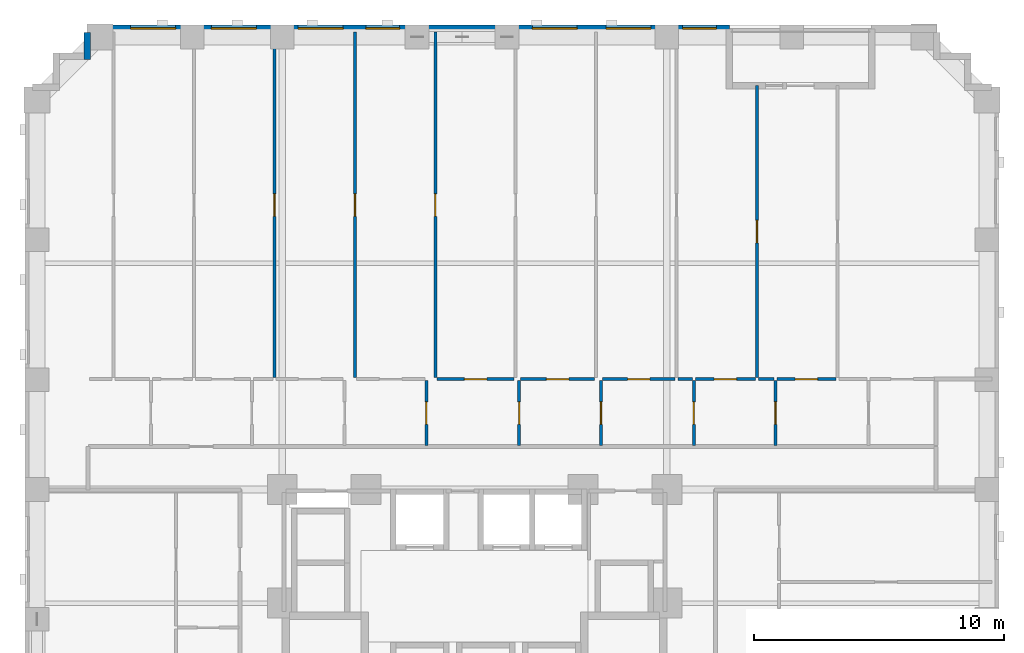
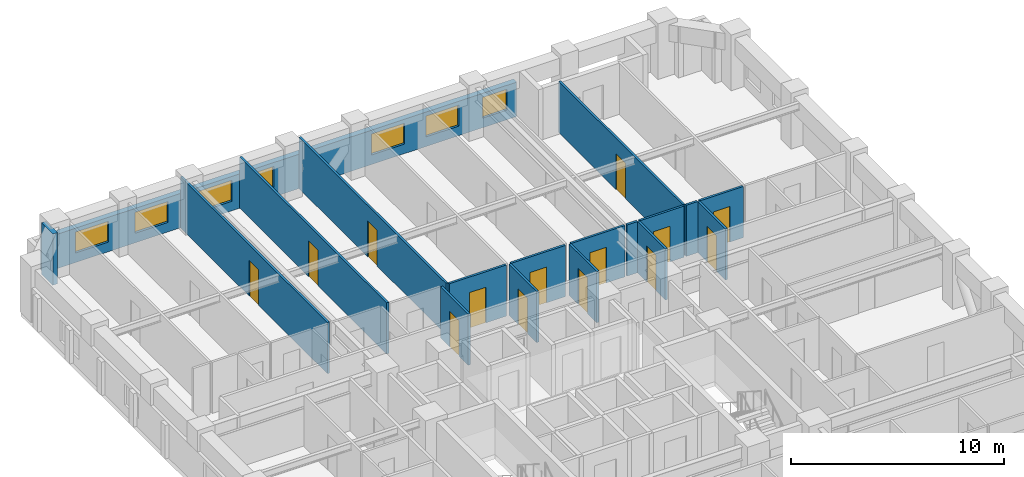
# One storey, part 8 of 14: 18 walls, 14 doors, 7 windows, 21 openings.
"""IFC4 building model written with IfcOpenShell, lengths in metres."""

from ifc_helpers import new_model, si_unit, derived_unit, direction, frame, frame_2d, origin, place, context, subcontext, project, spatial, rectangle, extrude, material, layer, layer_set, type_object, element, fill, save


model = new_model("IFC4")

# Units and contexts
model_context = context("Model", 3, precision=1e-05, world=origin(), true_north=direction((0.0, 1.0)))
body_context = subcontext(model_context, "Body", "Model", "MODEL_VIEW")
ifc_project = project(units=[si_unit("LENGTHUNIT", "METRE"), si_unit("AREAUNIT", "SQUARE_METRE"), si_unit("VOLUMEUNIT", "CUBIC_METRE"), si_unit("PLANEANGLEUNIT", "RADIAN"), si_unit("MASSUNIT", "GRAM", prefix="KILO"), derived_unit("THERMALTRANSMITTANCEUNIT", [(si_unit("MASSUNIT", "GRAM", prefix="KILO"), 1), (si_unit("TIMEUNIT", "SECOND"), -3), (si_unit("THERMODYNAMICTEMPERATUREUNIT", "KELVIN"), -1)])], contexts=[model_context])

# Site, building, storey
site_placement = place(None, origin())
site = spatial("IfcSite", under=ifc_project, at=site_placement, CompositionType="ELEMENT")
building_placement = place(site_placement, origin())
building = spatial("IfcBuilding", under=site, at=building_placement, Name="Korrvale Station Residences", CompositionType="ELEMENT")
storey_placement = place(building_placement, frame((0.0, 0.0, 45.0)))
storey = spatial("IfcBuildingStorey", under=building, at=storey_placement, Name="L11", CompositionType="ELEMENT", Elevation=45.0)

# Wall
ifc_material_1 = material(Name="Precast concrete C45/55", Category="concrete")
ifc_layer_1 = layer(ifc_material_1, 0.260009765625, Name="Precast concrete C45/55")
ifc_layer_set_1 = layer_set([ifc_layer_1], Name="Precast concrete C45/55")
wall_type_1 = type_object("IfcWallType", Name="WAL-EXT-LOG260", PredefinedType="SOLIDWALL", material=ifc_layer_set_1)
wall_1_placement = place(storey_placement, frame((10.0, 46.219970703125, 0.0), z_axis=(0.0, 0.0, 1.0), x_axis=(0.0, 1.0, 0.0)))
element("IfcWall", 1, at=wall_1_placement, inside=storey, type_object=wall_type_1, Name="L11 Serrated Corner Precast Step NW-4", PredefinedType="SOLIDWALL", context=body_context, shape_type="SweptSolid", body=[
    extrude(rectangle(XDim=1.078125, YDim=0.260009765625, at=frame_2d((0.5390625, 0.0))), origin(), (0.0, 0.0, 1.0), 2.93994140625),
])

# Wall, openings, windows
ifc_layer_2 = layer(ifc_material_1, 0.300048828125, Name="Precast concrete C45/55")
ifc_layer_set_2 = layer_set([ifc_layer_2], Name="Precast concrete C45/55")
wall_type_2 = type_object("IfcWallType", Name="WAL-EXT-PC300", PredefinedType="SOLIDWALL", material=ifc_layer_set_2)
wall_2_placement = place(storey_placement, frame((10.0, 47.449951171875, 0.0), z_axis=(0.0, 0.0, 1.0), x_axis=(1.0, 0.0, 0.0)))
wall_2 = element("IfcWall", 2, at=wall_2_placement, inside=storey, type_object=wall_type_2, Name="L11 North Exterior Precast Wall 1", PredefinedType="SOLIDWALL", context=body_context, shape_type="SweptSolid", body=[
    extrude(rectangle(XDim=25.699951171875, YDim=0.300048828125, at=frame_2d((12.85009765625, 0.0))), origin(), (0.0, 0.0, 1.0), 1.97509765625),
])
opening_1_placement = place(wall_2_placement, frame((1.72998046875, 0.0, 0.550048828125)))
opening_1 = element("IfcOpeningElement", 3, at=opening_1_placement, cuts=wall_2, Name="Opening W-09", PredefinedType="OPENING", context=body_context, shape_type="SweptSolid", body=[
    extrude(rectangle(XDim=1.800048828125, YDim=1.199951171875, at=frame_2d((0.89990234375, 0.60009765625))), frame((0.0, 0.16015625, 0.0), z_axis=(0.0, -1.0, 0.0), x_axis=(1.0, 0.0, 0.0)), (0.0, 0.0, 1.0), 0.320068359375),
])
opening_2_placement = place(wall_2_placement, frame((4.9609375, 0.0, 0.550048828125)))
opening_2 = element("IfcOpeningElement", 4, at=opening_2_placement, cuts=wall_2, Name="Opening W-09", PredefinedType="OPENING", context=body_context, shape_type="SweptSolid", body=[
    extrude(rectangle(XDim=1.800048828125, YDim=1.199951171875, at=frame_2d((0.89990234375, 0.60009765625))), frame((0.0, 0.16015625, 0.0), z_axis=(0.0, -1.0, 0.0), x_axis=(1.0, 0.0, 0.0)), (0.0, 0.0, 1.0), 0.320068359375),
])
opening_3_placement = place(wall_2_placement, frame((8.43505859375, 0.0, 0.550048828125)))
opening_3 = element("IfcOpeningElement", 5, at=opening_3_placement, cuts=wall_2, Name="Opening W-09", PredefinedType="OPENING", context=body_context, shape_type="SweptSolid", body=[
    extrude(rectangle(XDim=1.800048828125, YDim=1.199951171875, at=frame_2d((0.89990234375, 0.60009765625))), frame((0.0, 0.16015625, 0.0), z_axis=(0.0, -1.0, 0.0), x_axis=(1.0, 0.0, 0.0)), (0.0, 0.0, 1.0), 0.320068359375),
])
opening_4_placement = place(wall_2_placement, frame((11.14990234375, 0.0, 0.550048828125)))
opening_4 = element("IfcOpeningElement", 6, at=opening_4_placement, cuts=wall_2, Name="Opening W-10", PredefinedType="OPENING", context=body_context, shape_type="SweptSolid", body=[
    extrude(rectangle(XDim=1.35009765625, YDim=1.199951171875, at=frame_2d((0.675048828125, 0.60009765625))), frame((0.0, 0.16015625, 0.0), z_axis=(0.0, -1.0, 0.0), x_axis=(1.0, 0.0, 0.0)), (0.0, 0.0, 1.0), 0.320068359375),
])
opening_5_placement = place(wall_2_placement, frame((17.81201171875, 0.0, 0.550048828125)))
opening_5 = element("IfcOpeningElement", 7, at=opening_5_placement, cuts=wall_2, Name="Opening W-09", PredefinedType="OPENING", context=body_context, shape_type="SweptSolid", body=[
    extrude(rectangle(XDim=1.800048828125, YDim=1.199951171875, at=frame_2d((0.89990234375, 0.60009765625))), frame((0.0, 0.16015625, 0.0), z_axis=(0.0, -1.0, 0.0), x_axis=(1.0, 0.0, 0.0)), (0.0, 0.0, 1.0), 0.320068359375),
])
opening_6_placement = place(wall_2_placement, frame((20.764892578125, 0.0, 0.550048828125)))
opening_6 = element("IfcOpeningElement", 8, at=opening_6_placement, cuts=wall_2, Name="Opening W-09", PredefinedType="OPENING", context=body_context, shape_type="SweptSolid", body=[
    extrude(rectangle(XDim=1.800048828125, YDim=1.199951171875, at=frame_2d((0.89990234375, 0.60009765625))), frame((0.0, 0.16015625, 0.0), z_axis=(0.0, -1.0, 0.0), x_axis=(1.0, 0.0, 0.0)), (0.0, 0.0, 1.0), 0.320068359375),
])
opening_7_placement = place(wall_2_placement, frame((23.8349609375, 0.0, 0.550048828125)))
opening_7 = element("IfcOpeningElement", 9, at=opening_7_placement, cuts=wall_2, Name="Opening W-10", PredefinedType="OPENING", context=body_context, shape_type="SweptSolid", body=[
    extrude(rectangle(XDim=1.35009765625, YDim=1.199951171875, at=frame_2d((0.675048828125, 0.60009765625))), frame((0.0, 0.16015625, 0.0), z_axis=(0.0, -1.0, 0.0), x_axis=(1.0, 0.0, 0.0)), (0.0, 0.0, 1.0), 0.320068359375),
])
ifc_material_2 = material(Name="Thermally broken aluminium frame with triple low-e glazing", Category="aluminium")
window_type_1 = type_object("IfcWindowType", Name="WIN-W09", PartitioningType="DOUBLE_PANEL_VERTICAL", PredefinedType="WINDOW", material=ifc_material_2)
window_1_placement = place(opening_1_placement, origin())
window_1 = element("IfcWindow", 10, at=window_1_placement, inside=storey, type_object=window_type_1, Name="L11 Punched Window 15", OverallHeight=1.199951171875, OverallWidth=1.800048828125, PartitioningType="DOUBLE_PANEL_VERTICAL", PredefinedType="WINDOW", context=body_context, shape_type="SweptSolid", body=[
    extrude(rectangle(XDim=1.800048828125, YDim=1.199951171875, at=frame_2d((0.89990234375, 0.60009765625))), frame((0.0, 0.030029296875, 0.0), z_axis=(0.0, -1.0, 0.0), x_axis=(1.0, 0.0, 0.0)), (0.0, 0.0, 1.0), 0.06005859375),
])
fill(opening_1, window_1)
window_2_placement = place(opening_2_placement, origin())
window_2 = element("IfcWindow", 11, at=window_2_placement, inside=storey, type_object=window_type_1, Name="L11 Punched Window 16", OverallHeight=1.199951171875, OverallWidth=1.800048828125, PartitioningType="DOUBLE_PANEL_VERTICAL", PredefinedType="WINDOW", context=body_context, shape_type="SweptSolid", body=[
    extrude(rectangle(XDim=1.800048828125, YDim=1.199951171875, at=frame_2d((0.89990234375, 0.60009765625))), frame((0.0, 0.030029296875, 0.0), z_axis=(0.0, -1.0, 0.0), x_axis=(1.0, 0.0, 0.0)), (0.0, 0.0, 1.0), 0.06005859375),
])
fill(opening_2, window_2)
window_3_placement = place(opening_3_placement, origin())
window_3 = element("IfcWindow", 12, at=window_3_placement, inside=storey, type_object=window_type_1, Name="L11 Punched Window 17", OverallHeight=1.199951171875, OverallWidth=1.800048828125, PartitioningType="DOUBLE_PANEL_VERTICAL", PredefinedType="WINDOW", context=body_context, shape_type="SweptSolid", body=[
    extrude(rectangle(XDim=1.800048828125, YDim=1.199951171875, at=frame_2d((0.89990234375, 0.60009765625))), frame((0.0, 0.030029296875, 0.0), z_axis=(0.0, -1.0, 0.0), x_axis=(1.0, 0.0, 0.0)), (0.0, 0.0, 1.0), 0.06005859375),
])
fill(opening_3, window_3)
window_4_placement = place(opening_5_placement, origin())
window_4 = element("IfcWindow", 13, at=window_4_placement, inside=storey, type_object=window_type_1, Name="L11 Punched Window 19", OverallHeight=1.199951171875, OverallWidth=1.800048828125, PartitioningType="DOUBLE_PANEL_VERTICAL", PredefinedType="WINDOW", context=body_context, shape_type="SweptSolid", body=[
    extrude(rectangle(XDim=1.800048828125, YDim=1.199951171875, at=frame_2d((0.89990234375, 0.60009765625))), frame((0.0, 0.030029296875, 0.0), z_axis=(0.0, -1.0, 0.0), x_axis=(1.0, 0.0, 0.0)), (0.0, 0.0, 1.0), 0.06005859375),
])
fill(opening_5, window_4)
window_5_placement = place(opening_6_placement, origin())
window_5 = element("IfcWindow", 14, at=window_5_placement, inside=storey, type_object=window_type_1, Name="L11 Punched Window 20", OverallHeight=1.199951171875, OverallWidth=1.800048828125, PartitioningType="DOUBLE_PANEL_VERTICAL", PredefinedType="WINDOW", context=body_context, shape_type="SweptSolid", body=[
    extrude(rectangle(XDim=1.800048828125, YDim=1.199951171875, at=frame_2d((0.89990234375, 0.60009765625))), frame((0.0, 0.030029296875, 0.0), z_axis=(0.0, -1.0, 0.0), x_axis=(1.0, 0.0, 0.0)), (0.0, 0.0, 1.0), 0.06005859375),
])
fill(opening_6, window_5)
window_type_2 = type_object("IfcWindowType", Name="WIN-W10", PartitioningType="SINGLE_PANEL", PredefinedType="WINDOW", material=ifc_material_2)
window_6_placement = place(opening_4_placement, origin())
window_6 = element("IfcWindow", 15, at=window_6_placement, inside=storey, type_object=window_type_2, Name="L11 Punched Window 18", OverallHeight=1.199951171875, OverallWidth=1.35009765625, PartitioningType="SINGLE_PANEL", PredefinedType="WINDOW", context=body_context, shape_type="SweptSolid", body=[
    extrude(rectangle(XDim=1.35009765625, YDim=1.199951171875, at=frame_2d((0.675048828125, 0.60009765625))), frame((0.0, 0.030029296875, 0.0), z_axis=(0.0, -1.0, 0.0), x_axis=(1.0, 0.0, 0.0)), (0.0, 0.0, 1.0), 0.06005859375),
])
fill(opening_4, window_6)
window_7_placement = place(opening_7_placement, origin())
window_7 = element("IfcWindow", 16, at=window_7_placement, inside=storey, type_object=window_type_2, Name="L11 Punched Window 21", OverallHeight=1.199951171875, OverallWidth=1.35009765625, PartitioningType="SINGLE_PANEL", PredefinedType="WINDOW", context=body_context, shape_type="SweptSolid", body=[
    extrude(rectangle(XDim=1.35009765625, YDim=1.199951171875, at=frame_2d((0.675048828125, 0.60009765625))), frame((0.0, 0.030029296875, 0.0), z_axis=(0.0, -1.0, 0.0), x_axis=(1.0, 0.0, 0.0)), (0.0, 0.0, 1.0), 0.06005859375),
])
fill(opening_7, window_7)

# Wall, opening, door
ifc_material_3 = material(Name="Acoustic steel-stud gypsum board partition", Category="steel")
ifc_layer_3 = layer(ifc_material_3, 0.1201171875, Name="Acoustic steel-stud gypsum board partition")
ifc_layer_set_3 = layer_set([ifc_layer_3], Name="Acoustic steel-stud gypsum board partition")
wall_type_3 = type_object("IfcWallType", Name="WAL-PART-125", PredefinedType="PARTITIONING", material=ifc_layer_set_3)
wall_3_placement = place(storey_placement, frame((23.570068359375, 30.760009765625, 0.0), z_axis=(0.0, 0.0, 1.0), x_axis=(0.0, 1.0, 0.0)))
wall_3 = element("IfcWall", 17, at=wall_3_placement, inside=storey, type_object=wall_type_3, Name="L11 Suite Partition U03-V34", PredefinedType="PARTITIONING", context=body_context, shape_type="SweptSolid", body=[
    extrude(rectangle(XDim=2.60009765625, YDim=0.1201171875, at=frame_2d((1.300048828125, 0.0))), origin(), (0.0, 0.0, 1.0), 2.93994140625),
])
opening_8_placement = place(wall_3_placement, frame((0.85009765625, 0.0, 0.0)))
opening_8 = element("IfcOpeningElement", 18, at=opening_8_placement, cuts=wall_3, Name="Opening DI-900", PredefinedType="OPENING", context=body_context, shape_type="SweptSolid", body=[
    extrude(rectangle(XDim=0.89990234375, YDim=2.050048828125, at=frame_2d((0.449951171875, 1.02490234375))), frame((0.0, 0.070068359375, 0.0), z_axis=(0.0, -1.0, 0.0), x_axis=(1.0, 0.0, 0.0)), (0.0, 0.0, 1.0), 0.14013671875),
])
ifc_material_4 = material(Name="Painted solid-core timber interior room door", Category="wood")
door_type = type_object("IfcDoorType", Name="DR-INT-900", OperationType="NOTDEFINED", PredefinedType="DOOR", material=ifc_material_4)
door_1_placement = place(opening_8_placement, origin())
door_1 = element("IfcDoor", 19, at=door_1_placement, inside=storey, type_object=door_type, Name="L11 Studio Apartment L11-U03 Storage Closet 2 Door", OperationType="SINGLE_SWING_RIGHT", OverallHeight=2.050048828125, OverallWidth=0.89990234375, PredefinedType="DOOR", context=body_context, shape_type="SweptSolid", body=[
    extrude(rectangle(XDim=0.89990234375, YDim=2.050048828125, at=frame_2d((0.449951171875, 1.02490234375))), frame((0.0, 0.02490234375, 0.0), z_axis=(0.0, -1.0, 0.0), x_axis=(1.0, 0.0, 0.0)), (0.0, 0.0, 1.0), 0.050048828125),
])
fill(opening_8, door_1)

wall_4_placement = place(storey_placement, frame((27.2900390625, 30.760009765625, 0.0), z_axis=(0.0, 0.0, 1.0), x_axis=(0.0, 1.0, 0.0)))
wall_4 = element("IfcWall", 20, at=wall_4_placement, inside=storey, type_object=wall_type_3, Name="L11 Suite Partition U03-V45", PredefinedType="PARTITIONING", context=body_context, shape_type="SweptSolid", body=[
    extrude(rectangle(XDim=2.60009765625, YDim=0.1201171875, at=frame_2d((1.300048828125, 0.0))), origin(), (0.0, 0.0, 1.0), 2.93994140625),
])
opening_9_placement = place(wall_4_placement, frame((0.85009765625, 0.0, 0.0)))
opening_9 = element("IfcOpeningElement", 21, at=opening_9_placement, cuts=wall_4, Name="Opening DI-900", PredefinedType="OPENING", context=body_context, shape_type="SweptSolid", body=[
    extrude(rectangle(XDim=0.89990234375, YDim=2.050048828125, at=frame_2d((0.449951171875, 1.02490234375))), frame((0.0, 0.070068359375, 0.0), z_axis=(0.0, -1.0, 0.0), x_axis=(1.0, 0.0, 0.0)), (0.0, 0.0, 1.0), 0.14013671875),
])
door_2_placement = place(opening_9_placement, origin())
door_2 = element("IfcDoor", 22, at=door_2_placement, inside=storey, type_object=door_type, Name="L11 Studio Apartment L11-U03 Storage Closet 3 Door", OperationType="SINGLE_SWING_RIGHT", OverallHeight=2.050048828125, OverallWidth=0.89990234375, PredefinedType="DOOR", context=body_context, shape_type="SweptSolid", body=[
    extrude(rectangle(XDim=0.89990234375, YDim=2.050048828125, at=frame_2d((0.449951171875, 1.02490234375))), frame((0.0, 0.02490234375, 0.0), z_axis=(0.0, -1.0, 0.0), x_axis=(1.0, 0.0, 0.0)), (0.0, 0.0, 1.0), 0.050048828125),
])
fill(opening_9, door_2)

wall_5_placement = place(storey_placement, frame((23.989990234375, 33.419921875, 0.0), z_axis=(0.0, 0.0, 1.0), x_axis=(1.0, 0.0, 0.0)))
wall_5 = element("IfcWall", 23, at=wall_5_placement, inside=storey, type_object=wall_type_3, Name="L11 Suite Partition U03-H415", PredefinedType="PARTITIONING", context=body_context, shape_type="SweptSolid", body=[
    extrude(rectangle(XDim=3.10009765625, YDim=0.1201171875, at=frame_2d((1.550048828125, 0.0))), origin(), (0.0, 0.0, 1.0), 2.93994140625),
])
opening_10_placement = place(wall_5_placement, frame((1.10009765625, 0.0, 0.0)))
opening_10 = element("IfcOpeningElement", 24, at=opening_10_placement, cuts=wall_5, Name="Opening DI-900", PredefinedType="OPENING", context=body_context, shape_type="SweptSolid", body=[
    extrude(rectangle(XDim=0.89990234375, YDim=2.050048828125, at=frame_2d((0.449951171875, 1.02490234375))), frame((0.0, 0.070068359375, 0.0), z_axis=(0.0, -1.0, 0.0), x_axis=(1.0, 0.0, 0.0)), (0.0, 0.0, 1.0), 0.14013671875),
])
door_3_placement = place(opening_10_placement, origin())
door_3 = element("IfcDoor", 25, at=door_3_placement, inside=storey, type_object=door_type, Name="L11 Studio Apartment L11-U03 Storage Closet 3 Door", OperationType="SINGLE_SWING_LEFT", OverallHeight=2.050048828125, OverallWidth=0.89990234375, PredefinedType="DOOR", context=body_context, shape_type="SweptSolid", body=[
    extrude(rectangle(XDim=0.89990234375, YDim=2.050048828125, at=frame_2d((0.449951171875, 1.02490234375))), frame((0.0, 0.02490234375, 0.0), z_axis=(0.0, -1.0, 0.0), x_axis=(1.0, 0.0, 0.0)), (0.0, 0.0, 1.0), 0.050048828125),
])
fill(opening_10, door_3)

wall_6_placement = place(storey_placement, frame((30.56005859375, 30.760009765625, 0.0), z_axis=(0.0, 0.0, 1.0), x_axis=(0.0, 1.0, 0.0)))
wall_6 = element("IfcWall", 26, at=wall_6_placement, inside=storey, type_object=wall_type_3, Name="L11 Suite Partition U03-V56", PredefinedType="PARTITIONING", context=body_context, shape_type="SweptSolid", body=[
    extrude(rectangle(XDim=2.60009765625, YDim=0.1201171875, at=frame_2d((1.300048828125, 0.0))), origin(), (0.0, 0.0, 1.0), 2.93994140625),
])
opening_11_placement = place(wall_6_placement, frame((0.85009765625, 0.0, 0.0)))
opening_11 = element("IfcOpeningElement", 27, at=opening_11_placement, cuts=wall_6, Name="Opening DI-900", PredefinedType="OPENING", context=body_context, shape_type="SweptSolid", body=[
    extrude(rectangle(XDim=0.89990234375, YDim=2.050048828125, at=frame_2d((0.449951171875, 1.02490234375))), frame((0.0, 0.070068359375, 0.0), z_axis=(0.0, -1.0, 0.0), x_axis=(1.0, 0.0, 0.0)), (0.0, 0.0, 1.0), 0.14013671875),
])
door_4_placement = place(opening_11_placement, origin())
door_4 = element("IfcDoor", 28, at=door_4_placement, inside=storey, type_object=door_type, Name="L11 Studio Apartment L11-U03 Storage Closet 4 Door", OperationType="SINGLE_SWING_RIGHT", OverallHeight=2.050048828125, OverallWidth=0.89990234375, PredefinedType="DOOR", context=body_context, shape_type="SweptSolid", body=[
    extrude(rectangle(XDim=0.89990234375, YDim=2.050048828125, at=frame_2d((0.449951171875, 1.02490234375))), frame((0.0, 0.02490234375, 0.0), z_axis=(0.0, -1.0, 0.0), x_axis=(1.0, 0.0, 0.0)), (0.0, 0.0, 1.0), 0.050048828125),
])
fill(opening_11, door_4)

wall_7_placement = place(storey_placement, frame((27.35009765625, 33.419921875, 0.0), z_axis=(0.0, 0.0, 1.0), x_axis=(1.0, 0.0, 0.0)))
wall_7 = element("IfcWall", 29, at=wall_7_placement, inside=storey, type_object=wall_type_3, Name="L11 Suite Partition U03-H516", PredefinedType="PARTITIONING", context=body_context, shape_type="SweptSolid", body=[
    extrude(rectangle(XDim=2.9599609375, YDim=0.1201171875, at=frame_2d((1.47998046875, 0.0))), origin(), (0.0, 0.0, 1.0), 2.93994140625),
])
opening_12_placement = place(wall_7_placement, frame((1.030029296875, 0.0, 0.0)))
opening_12 = element("IfcOpeningElement", 30, at=opening_12_placement, cuts=wall_7, Name="Opening DI-900", PredefinedType="OPENING", context=body_context, shape_type="SweptSolid", body=[
    extrude(rectangle(XDim=0.89990234375, YDim=2.050048828125, at=frame_2d((0.449951171875, 1.02490234375))), frame((0.0, 0.070068359375, 0.0), z_axis=(0.0, -1.0, 0.0), x_axis=(1.0, 0.0, 0.0)), (0.0, 0.0, 1.0), 0.14013671875),
])
door_5_placement = place(opening_12_placement, origin())
door_5 = element("IfcDoor", 31, at=door_5_placement, inside=storey, type_object=door_type, Name="L11 Studio Apartment L11-U03 Storage Closet 4 Door", OperationType="SINGLE_SWING_LEFT", OverallHeight=2.050048828125, OverallWidth=0.89990234375, PredefinedType="DOOR", context=body_context, shape_type="SweptSolid", body=[
    extrude(rectangle(XDim=0.89990234375, YDim=2.050048828125, at=frame_2d((0.449951171875, 1.02490234375))), frame((0.0, 0.02490234375, 0.0), z_axis=(0.0, -1.0, 0.0), x_axis=(1.0, 0.0, 0.0)), (0.0, 0.0, 1.0), 0.050048828125),
])
fill(opening_12, door_5)

wall_8_placement = place(storey_placement, frame((34.280029296875, 30.760009765625, 0.0), z_axis=(0.0, 0.0, 1.0), x_axis=(0.0, 1.0, 0.0)))
wall_8 = element("IfcWall", 32, at=wall_8_placement, inside=storey, type_object=wall_type_3, Name="L11 Suite Partition U03-V67", PredefinedType="PARTITIONING", context=body_context, shape_type="SweptSolid", body=[
    extrude(rectangle(XDim=2.60009765625, YDim=0.1201171875, at=frame_2d((1.300048828125, 0.0))), origin(), (0.0, 0.0, 1.0), 2.93994140625),
])
opening_13_placement = place(wall_8_placement, frame((0.85009765625, 0.0, 0.0)))
opening_13 = element("IfcOpeningElement", 33, at=opening_13_placement, cuts=wall_8, Name="Opening DI-900", PredefinedType="OPENING", context=body_context, shape_type="SweptSolid", body=[
    extrude(rectangle(XDim=0.89990234375, YDim=2.050048828125, at=frame_2d((0.449951171875, 1.02490234375))), frame((0.0, 0.070068359375, 0.0), z_axis=(0.0, -1.0, 0.0), x_axis=(1.0, 0.0, 0.0)), (0.0, 0.0, 1.0), 0.14013671875),
])
door_6_placement = place(opening_13_placement, origin())
door_6 = element("IfcDoor", 34, at=door_6_placement, inside=storey, type_object=door_type, Name="L11 Studio Apartment L11-U03 Storage Closet 5 Door", OperationType="SINGLE_SWING_RIGHT", OverallHeight=2.050048828125, OverallWidth=0.89990234375, PredefinedType="DOOR", context=body_context, shape_type="SweptSolid", body=[
    extrude(rectangle(XDim=0.89990234375, YDim=2.050048828125, at=frame_2d((0.449951171875, 1.02490234375))), frame((0.0, 0.02490234375, 0.0), z_axis=(0.0, -1.0, 0.0), x_axis=(1.0, 0.0, 0.0)), (0.0, 0.0, 1.0), 0.050048828125),
])
fill(opening_13, door_6)

wall_9_placement = place(storey_placement, frame((30.6201171875, 33.419921875, 0.0), z_axis=(0.0, 0.0, 1.0), x_axis=(1.0, 0.0, 0.0)))
wall_9 = element("IfcWall", 35, at=wall_9_placement, inside=storey, type_object=wall_type_3, Name="L11 Suite Partition U03-H617", PredefinedType="PARTITIONING", context=body_context, shape_type="SweptSolid", body=[
    extrude(rectangle(XDim=2.909912109375, YDim=0.1201171875, at=frame_2d((1.455078125, 0.0))), origin(), (0.0, 0.0, 1.0), 2.93994140625),
])
opening_14_placement = place(wall_9_placement, frame((1.0048828125, 0.0, 0.0)))
opening_14 = element("IfcOpeningElement", 36, at=opening_14_placement, cuts=wall_9, Name="Opening DI-900", PredefinedType="OPENING", context=body_context, shape_type="SweptSolid", body=[
    extrude(rectangle(XDim=0.89990234375, YDim=2.050048828125, at=frame_2d((0.449951171875, 1.02490234375))), frame((0.0, 0.070068359375, 0.0), z_axis=(0.0, -1.0, 0.0), x_axis=(1.0, 0.0, 0.0)), (0.0, 0.0, 1.0), 0.14013671875),
])
door_7_placement = place(opening_14_placement, origin())
door_7 = element("IfcDoor", 37, at=door_7_placement, inside=storey, type_object=door_type, Name="L11 Studio Apartment L11-U03 Storage Closet 5 Door", OperationType="SINGLE_SWING_LEFT", OverallHeight=2.050048828125, OverallWidth=0.89990234375, PredefinedType="DOOR", context=body_context, shape_type="SweptSolid", body=[
    extrude(rectangle(XDim=0.89990234375, YDim=2.050048828125, at=frame_2d((0.449951171875, 1.02490234375))), frame((0.0, 0.02490234375, 0.0), z_axis=(0.0, -1.0, 0.0), x_axis=(1.0, 0.0, 0.0)), (0.0, 0.0, 1.0), 0.050048828125),
])
fill(opening_14, door_7)

# Wall
wall_10_placement = place(storey_placement, frame((33.64990234375, 33.419921875, 0.0), z_axis=(0.0, 0.0, 1.0), x_axis=(1.0, 0.0, 0.0)))
element("IfcWall", 38, at=wall_10_placement, inside=storey, type_object=wall_type_3, Name="L11 Suite Partition U03-H618", PredefinedType="PARTITIONING", context=body_context, shape_type="SweptSolid", body=[
    extrude(rectangle(XDim=0.570068359375, YDim=0.1201171875, at=frame_2d((0.28515625, 0.0))), origin(), (0.0, 0.0, 1.0), 2.93994140625),
])

# Wall, opening, door
wall_11_placement = place(storey_placement, frame((37.550048828125, 30.760009765625, 0.0), z_axis=(0.0, 0.0, 1.0), x_axis=(0.0, 1.0, 0.0)))
wall_11 = element("IfcWall", 39, at=wall_11_placement, inside=storey, type_object=wall_type_3, Name="L11 Suite Partition U03-V78", PredefinedType="PARTITIONING", context=body_context, shape_type="SweptSolid", body=[
    extrude(rectangle(XDim=2.60009765625, YDim=0.1201171875, at=frame_2d((1.300048828125, 0.0))), origin(), (0.0, 0.0, 1.0), 2.93994140625),
])
opening_15_placement = place(wall_11_placement, frame((0.85009765625, 0.0, 0.0)))
opening_15 = element("IfcOpeningElement", 40, at=opening_15_placement, cuts=wall_11, Name="Opening DI-900", PredefinedType="OPENING", context=body_context, shape_type="SweptSolid", body=[
    extrude(rectangle(XDim=0.89990234375, YDim=2.050048828125, at=frame_2d((0.449951171875, 1.02490234375))), frame((0.0, 0.070068359375, 0.0), z_axis=(0.0, -1.0, 0.0), x_axis=(1.0, 0.0, 0.0)), (0.0, 0.0, 1.0), 0.14013671875),
])
door_8_placement = place(opening_15_placement, origin())
door_8 = element("IfcDoor", 41, at=door_8_placement, inside=storey, type_object=door_type, Name="L11 Studio Apartment L11-U03 Storage Closet 6 Door", OperationType="SINGLE_SWING_RIGHT", OverallHeight=2.050048828125, OverallWidth=0.89990234375, PredefinedType="DOOR", context=body_context, shape_type="SweptSolid", body=[
    extrude(rectangle(XDim=0.89990234375, YDim=2.050048828125, at=frame_2d((0.449951171875, 1.02490234375))), frame((0.0, 0.02490234375, 0.0), z_axis=(0.0, -1.0, 0.0), x_axis=(1.0, 0.0, 0.0)), (0.0, 0.0, 1.0), 0.050048828125),
])
fill(opening_15, door_8)

wall_12_placement = place(storey_placement, frame((34.340087890625, 33.419921875, 0.0), z_axis=(0.0, 0.0, 1.0), x_axis=(1.0, 0.0, 0.0)))
wall_12 = element("IfcWall", 42, at=wall_12_placement, inside=storey, type_object=wall_type_3, Name="L11 Suite Partition U03-H718", PredefinedType="PARTITIONING", context=body_context, shape_type="SweptSolid", body=[
    extrude(rectangle(XDim=2.409912109375, YDim=0.1201171875, at=frame_2d((1.205078125, 0.0))), origin(), (0.0, 0.0, 1.0), 2.93994140625),
])
opening_16_placement = place(wall_12_placement, frame((0.7548828125, 0.0, 0.0)))
opening_16 = element("IfcOpeningElement", 43, at=opening_16_placement, cuts=wall_12, Name="Opening DI-900", PredefinedType="OPENING", context=body_context, shape_type="SweptSolid", body=[
    extrude(rectangle(XDim=0.89990234375, YDim=2.050048828125, at=frame_2d((0.449951171875, 1.02490234375))), frame((0.0, 0.070068359375, 0.0), z_axis=(0.0, -1.0, 0.0), x_axis=(1.0, 0.0, 0.0)), (0.0, 0.0, 1.0), 0.14013671875),
])
door_9_placement = place(opening_16_placement, origin())
door_9 = element("IfcDoor", 44, at=door_9_placement, inside=storey, type_object=door_type, Name="L11 Studio Apartment L11-U03 Storage Closet 6 Door", OperationType="SINGLE_SWING_LEFT", OverallHeight=2.050048828125, OverallWidth=0.89990234375, PredefinedType="DOOR", context=body_context, shape_type="SweptSolid", body=[
    extrude(rectangle(XDim=0.89990234375, YDim=2.050048828125, at=frame_2d((0.449951171875, 1.02490234375))), frame((0.0, 0.02490234375, 0.0), z_axis=(0.0, -1.0, 0.0), x_axis=(1.0, 0.0, 0.0)), (0.0, 0.0, 1.0), 0.050048828125),
])
fill(opening_16, door_9)

# Wall
wall_13_placement = place(storey_placement, frame((36.8701171875, 33.419921875, 0.0), z_axis=(0.0, 0.0, 1.0), x_axis=(1.0, 0.0, 0.0)))
element("IfcWall", 45, at=wall_13_placement, inside=storey, type_object=wall_type_3, Name="L11 Suite Partition U03-H719", PredefinedType="PARTITIONING", context=body_context, shape_type="SweptSolid", body=[
    extrude(rectangle(XDim=0.619873046875, YDim=0.1201171875, at=frame_2d((0.31005859375, 0.0))), origin(), (0.0, 0.0, 1.0), 2.93994140625),
])

# Wall, opening, door
wall_14_placement = place(storey_placement, frame((37.610107421875, 33.419921875, 0.0), z_axis=(0.0, 0.0, 1.0), x_axis=(1.0, 0.0, 0.0)))
wall_14 = element("IfcWall", 46, at=wall_14_placement, inside=storey, type_object=wall_type_3, Name="L11 Suite Partition U03-H819", PredefinedType="PARTITIONING", context=body_context, shape_type="SweptSolid", body=[
    extrude(rectangle(XDim=2.35986328125, YDim=0.1201171875, at=frame_2d((1.179931640625, 0.0))), origin(), (0.0, 0.0, 1.0), 2.93994140625),
])
opening_17_placement = place(wall_14_placement, frame((0.72998046875, 0.0, 0.0)))
opening_17 = element("IfcOpeningElement", 47, at=opening_17_placement, cuts=wall_14, Name="Opening DI-900", PredefinedType="OPENING", context=body_context, shape_type="SweptSolid", body=[
    extrude(rectangle(XDim=0.89990234375, YDim=2.050048828125, at=frame_2d((0.449951171875, 1.02490234375))), frame((0.0, 0.070068359375, 0.0), z_axis=(0.0, -1.0, 0.0), x_axis=(1.0, 0.0, 0.0)), (0.0, 0.0, 1.0), 0.14013671875),
])
door_10_placement = place(opening_17_placement, origin())
door_10 = element("IfcDoor", 48, at=door_10_placement, inside=storey, type_object=door_type, Name="L11 Studio Apartment L11-U03 Storage Closet 7 Door", OperationType="SINGLE_SWING_LEFT", OverallHeight=2.050048828125, OverallWidth=0.89990234375, PredefinedType="DOOR", context=body_context, shape_type="SweptSolid", body=[
    extrude(rectangle(XDim=0.89990234375, YDim=2.050048828125, at=frame_2d((0.449951171875, 1.02490234375))), frame((0.0, 0.02490234375, 0.0), z_axis=(0.0, -1.0, 0.0), x_axis=(1.0, 0.0, 0.0)), (0.0, 0.0, 1.0), 0.050048828125),
])
fill(opening_17, door_10)

wall_15_placement = place(storey_placement, frame((17.489990234375, 33.47998046875, 0.0), z_axis=(0.0, 0.0, 1.0), x_axis=(0.0, 1.0, 0.0)))
wall_15 = element("IfcWall", 49, at=wall_15_placement, inside=storey, type_object=wall_type_3, Name="L11 Suite Partition U03-V1213", PredefinedType="PARTITIONING", context=body_context, shape_type="SweptSolid", body=[
    extrude(rectangle(XDim=13.840087890625, YDim=0.1201171875, at=frame_2d((6.919921875, 0.0))), origin(), (0.0, 0.0, 1.0), 2.93994140625),
])
opening_18_placement = place(wall_15_placement, frame((6.455078125, 0.0, 0.0)))
opening_18 = element("IfcOpeningElement", 50, at=opening_18_placement, cuts=wall_15, Name="Opening DI-900", PredefinedType="OPENING", context=body_context, shape_type="SweptSolid", body=[
    extrude(rectangle(XDim=0.89990234375, YDim=2.050048828125, at=frame_2d((0.449951171875, 1.02490234375))), frame((0.0, 0.070068359375, 0.0), z_axis=(0.0, -1.0, 0.0), x_axis=(1.0, 0.0, 0.0)), (0.0, 0.0, 1.0), 0.14013671875),
])
door_11_placement = place(opening_18_placement, origin())
door_11 = element("IfcDoor", 51, at=door_11_placement, inside=storey, type_object=door_type, Name="L11 Studio Apartment L11-U03 Walk-In Wardrobe Door", OperationType="SINGLE_SWING_LEFT", OverallHeight=2.050048828125, OverallWidth=0.89990234375, PredefinedType="DOOR", context=body_context, shape_type="SweptSolid", body=[
    extrude(rectangle(XDim=0.89990234375, YDim=2.050048828125, at=frame_2d((0.449951171875, 1.02490234375))), frame((0.0, 0.02490234375, 0.0), z_axis=(0.0, -1.0, 0.0), x_axis=(1.0, 0.0, 0.0)), (0.0, 0.0, 1.0), 0.050048828125),
])
fill(opening_18, door_11)

wall_16_placement = place(storey_placement, frame((20.7099609375, 33.47998046875, 0.0), z_axis=(0.0, 0.0, 1.0), x_axis=(0.0, 1.0, 0.0)))
wall_16 = element("IfcWall", 52, at=wall_16_placement, inside=storey, type_object=wall_type_3, Name="L11 Suite Partition U03-V1314", PredefinedType="PARTITIONING", context=body_context, shape_type="SweptSolid", body=[
    extrude(rectangle(XDim=13.840087890625, YDim=0.1201171875, at=frame_2d((6.919921875, 0.0))), origin(), (0.0, 0.0, 1.0), 2.93994140625),
])
opening_19_placement = place(wall_16_placement, frame((6.455078125, 0.0, 0.0)))
opening_19 = element("IfcOpeningElement", 53, at=opening_19_placement, cuts=wall_16, Name="Opening DI-900", PredefinedType="OPENING", context=body_context, shape_type="SweptSolid", body=[
    extrude(rectangle(XDim=0.89990234375, YDim=2.050048828125, at=frame_2d((0.449951171875, 1.02490234375))), frame((0.0, 0.070068359375, 0.0), z_axis=(0.0, -1.0, 0.0), x_axis=(1.0, 0.0, 0.0)), (0.0, 0.0, 1.0), 0.14013671875),
])
door_12_placement = place(opening_19_placement, origin())
door_12 = element("IfcDoor", 54, at=door_12_placement, inside=storey, type_object=door_type, Name="L11 Studio Apartment L11-U03 Walk-In Wardrobe Door", OperationType="SINGLE_SWING_RIGHT", OverallHeight=2.050048828125, OverallWidth=0.89990234375, PredefinedType="DOOR", context=body_context, shape_type="SweptSolid", body=[
    extrude(rectangle(XDim=0.89990234375, YDim=2.050048828125, at=frame_2d((0.449951171875, 1.02490234375))), frame((0.0, 0.02490234375, 0.0), z_axis=(0.0, -1.0, 0.0), x_axis=(1.0, 0.0, 0.0)), (0.0, 0.0, 1.0), 0.050048828125),
])
fill(opening_19, door_12)

wall_17_placement = place(storey_placement, frame((23.929931640625, 33.47998046875, 0.0), z_axis=(0.0, 0.0, 1.0), x_axis=(0.0, 1.0, 0.0)))
wall_17 = element("IfcWall", 55, at=wall_17_placement, inside=storey, type_object=wall_type_3, Name="L11 Suite Partition U03-V1415", PredefinedType="PARTITIONING", context=body_context, shape_type="SweptSolid", body=[
    extrude(rectangle(XDim=13.840087890625, YDim=0.1201171875, at=frame_2d((6.919921875, 0.0))), origin(), (0.0, 0.0, 1.0), 2.93994140625),
])
opening_20_placement = place(wall_17_placement, frame((6.455078125, 0.0, 0.0)))
opening_20 = element("IfcOpeningElement", 56, at=opening_20_placement, cuts=wall_17, Name="Opening DI-900", PredefinedType="OPENING", context=body_context, shape_type="SweptSolid", body=[
    extrude(rectangle(XDim=0.89990234375, YDim=2.050048828125, at=frame_2d((0.449951171875, 1.02490234375))), frame((0.0, 0.070068359375, 0.0), z_axis=(0.0, -1.0, 0.0), x_axis=(1.0, 0.0, 0.0)), (0.0, 0.0, 1.0), 0.14013671875),
])
door_13_placement = place(opening_20_placement, origin())
door_13 = element("IfcDoor", 57, at=door_13_placement, inside=storey, type_object=door_type, Name="L11 Studio Apartment L11-U03 Walk-In Wardrobe Door", OperationType="SINGLE_SWING_LEFT", OverallHeight=2.050048828125, OverallWidth=0.89990234375, PredefinedType="DOOR", context=body_context, shape_type="SweptSolid", body=[
    extrude(rectangle(XDim=0.89990234375, YDim=2.050048828125, at=frame_2d((0.449951171875, 1.02490234375))), frame((0.0, 0.02490234375, 0.0), z_axis=(0.0, -1.0, 0.0), x_axis=(1.0, 0.0, 0.0)), (0.0, 0.0, 1.0), 0.050048828125),
])
fill(opening_20, door_13)

wall_18_placement = place(storey_placement, frame((36.81005859375, 33.47998046875, 0.0), z_axis=(0.0, 0.0, 1.0), x_axis=(0.0, 1.0, 0.0)))
wall_18 = element("IfcWall", 58, at=wall_18_placement, inside=storey, type_object=wall_type_3, Name="L11 Suite Partition U03-V1819", PredefinedType="PARTITIONING", context=body_context, shape_type="SweptSolid", body=[
    extrude(rectangle(XDim=11.68994140625, YDim=0.1201171875, at=frame_2d((5.844970703125, 0.0))), origin(), (0.0, 0.0, 1.0), 2.93994140625),
])
opening_21_placement = place(wall_18_placement, frame((5.39501953125, 0.0, 0.0)))
opening_21 = element("IfcOpeningElement", 59, at=opening_21_placement, cuts=wall_18, Name="Opening DI-900", PredefinedType="OPENING", context=body_context, shape_type="SweptSolid", body=[
    extrude(rectangle(XDim=0.89990234375, YDim=2.050048828125, at=frame_2d((0.449951171875, 1.02490234375))), frame((0.0, 0.070068359375, 0.0), z_axis=(0.0, -1.0, 0.0), x_axis=(1.0, 0.0, 0.0)), (0.0, 0.0, 1.0), 0.14013671875),
])
door_14_placement = place(opening_21_placement, origin())
door_14 = element("IfcDoor", 60, at=door_14_placement, inside=storey, type_object=door_type, Name="L11 Studio Apartment L11-U03 Walk-In Wardrobe Door", OperationType="SINGLE_SWING_LEFT", OverallHeight=2.050048828125, OverallWidth=0.89990234375, PredefinedType="DOOR", context=body_context, shape_type="SweptSolid", body=[
    extrude(rectangle(XDim=0.89990234375, YDim=2.050048828125, at=frame_2d((0.449951171875, 1.02490234375))), frame((0.0, 0.02490234375, 0.0), z_axis=(0.0, -1.0, 0.0), x_axis=(1.0, 0.0, 0.0)), (0.0, 0.0, 1.0), 0.050048828125),
])
fill(opening_21, door_14)

save(model, "model.ifc")
